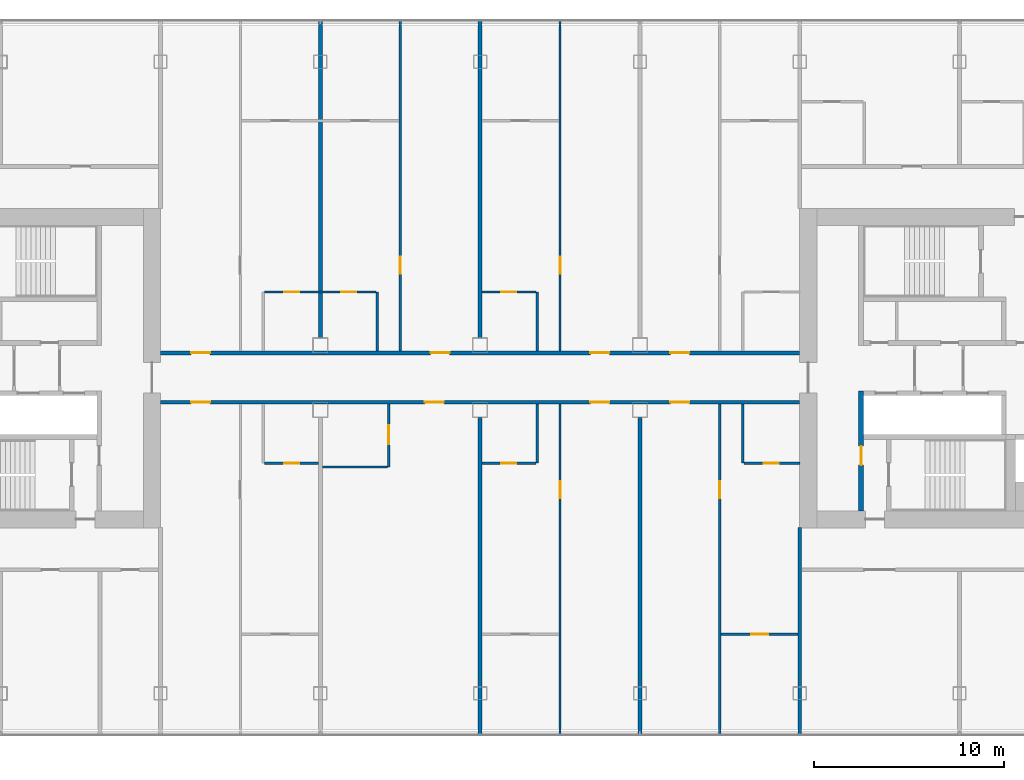
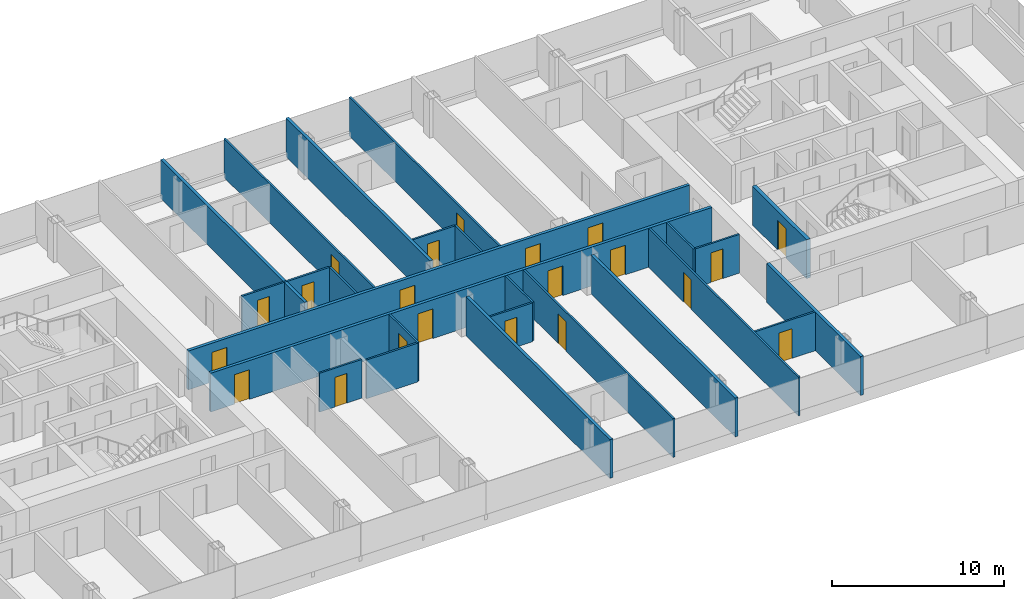
# One storey, part 14 of 26: 24 walls, 21 doors, 21 openings.
"""IFC4 building model written with IfcOpenShell, lengths in metres."""

from ifc_helpers import new_model, si_unit, direction, frame, frame_2d, origin, place, context, subcontext, project, spatial, rectangle, extrude, material, layer, layer_set, type_object, element, fill, save


model = new_model("IFC4")

# Units and contexts
model_context = context("Model", 3, precision=1e-05, world=origin(), true_north=direction((0.0, 1.0)))
body_context = subcontext(model_context, "Body", "Model", "MODEL_VIEW")
ifc_project = project(units=[si_unit("LENGTHUNIT", "METRE"), si_unit("AREAUNIT", "SQUARE_METRE"), si_unit("VOLUMEUNIT", "CUBIC_METRE"), si_unit("PLANEANGLEUNIT", "RADIAN"), si_unit("MASSUNIT", "GRAM", prefix="KILO")], contexts=[model_context])

# Site, building, storey
site_placement = place(None, origin())
site = spatial("IfcSite", under=ifc_project, at=site_placement, CompositionType="ELEMENT")
building_placement = place(site_placement, origin())
building = spatial("IfcBuilding", under=site, at=building_placement, Name="Hakoniwa Tower and Hamabe Station Hall", CompositionType="ELEMENT")
storey_placement = place(building_placement, frame((0.0, 0.0, 143.800048828125)))
storey = spatial("IfcBuildingStorey", under=building, at=storey_placement, Name="L40", CompositionType="ELEMENT", Elevation=143.800048828125)

# Wall
ifc_material_1 = material(Name="Gypsum board partition", Category="gypsum")
ifc_layer_1 = layer(ifc_material_1, 0.125)
ifc_layer_set_1 = layer_set([ifc_layer_1], Name="Bathroom Partition 125")
wall_type_1 = type_object("IfcWallType", Name="Bathroom Partition 125", PredefinedType="PARTITIONING", material=ifc_layer_set_1)
wall_1_placement = place(storey_placement, frame((-8.300048828125, -5.199951171875, 0.0), z_axis=(0.0, 0.0, 1.0), x_axis=(1.0, 0.0, 0.0)))
element("IfcWall", 1, at=wall_1_placement, inside=storey, type_object=wall_type_1, Name="GW-L40-008", PredefinedType="PARTITIONING", context=body_context, shape_type="SweptSolid", body=[
    extrude(rectangle(XDim=3.4375, YDim=0.125, at=frame_2d((1.71875, 0.0))), origin(), (0.0, 0.0, 1.0), 2.75),
])

# Wall, opening, door
wall_2_placement = place(storey_placement, frame((-11.33740234375, -5.0, 0.0), z_axis=(0.0, 0.0, 1.0), x_axis=(1.0, 0.0, 0.0)))
wall_2 = element("IfcWall", 2, at=wall_2_placement, inside=storey, type_object=wall_type_1, Name="GW-L40-009", PredefinedType="PARTITIONING", context=body_context, shape_type="SweptSolid", body=[
    extrude(rectangle(XDim=2.83740234375, YDim=0.125, at=frame_2d((1.418701171875, 0.0))), origin(), (0.0, 0.0, 1.0), 2.75),
])
opening_1_placement = place(wall_2_placement, frame((1.03759765625, 0.0, 0.0)))
opening_1 = element("IfcOpeningElement", 3, at=opening_1_placement, cuts=wall_2, Name="Opening GD-G3E0-17", PredefinedType="OPENING", context=body_context, shape_type="SweptSolid", body=[
    extrude(rectangle(XDim=0.800048828125, YDim=2.10009765625, at=frame_2d((0.39990234375, 1.050048828125))), frame((0.0, 0.072509765625, 0.0), z_axis=(0.0, -1.0, 0.0), x_axis=(1.0, 0.0, 0.0)), (0.0, 0.0, 1.0), 0.14501953125),
])
ifc_material_2 = material(Name="Timber door leaf", Category="wood")
door_type_1 = type_object("IfcDoorType", Name="Bathroom Door 800", OperationType="SINGLE_SWING_LEFT", PredefinedType="DOOR", material=ifc_material_2)
door_1_placement = place(opening_1_placement, origin())
door_1 = element("IfcDoor", 4, at=door_1_placement, inside=storey, type_object=door_type_1, Name="Door GD-G3E0-17", OperationType="SINGLE_SWING_LEFT", OverallHeight=2.10009765625, OverallWidth=0.800048828125, PredefinedType="DOOR", context=body_context, shape_type="SweptSolid", body=[
    extrude(rectangle(XDim=0.800048828125, YDim=2.10009765625, at=frame_2d((0.39990234375, 1.050048828125))), frame((0.0, 0.02490234375, 0.0), z_axis=(0.0, -1.0, 0.0), x_axis=(1.0, 0.0, 0.0)), (0.0, 0.0, 1.0), 0.050048828125),
])
fill(opening_1, door_1)

wall_3_placement = place(storey_placement, frame((0.10009765625, -5.0, 0.0), z_axis=(0.0, 0.0, 1.0), x_axis=(1.0, 0.0, 0.0)))
wall_3 = element("IfcWall", 5, at=wall_3_placement, inside=storey, type_object=wall_type_1, Name="GW-L40-010", PredefinedType="PARTITIONING", context=body_context, shape_type="SweptSolid", body=[
    extrude(rectangle(XDim=2.83740234375, YDim=0.125, at=frame_2d((1.418701171875, 0.0))), origin(), (0.0, 0.0, 1.0), 2.75),
])
opening_2_placement = place(wall_3_placement, frame((1.0, 0.0, 0.0)))
opening_2 = element("IfcOpeningElement", 6, at=opening_2_placement, cuts=wall_3, Name="Opening GD-G3E0-18", PredefinedType="OPENING", context=body_context, shape_type="SweptSolid", body=[
    extrude(rectangle(XDim=0.800048828125, YDim=2.10009765625, at=frame_2d((0.39990234375, 1.050048828125))), frame((0.0, 0.072509765625, 0.0), z_axis=(0.0, -1.0, 0.0), x_axis=(1.0, 0.0, 0.0)), (0.0, 0.0, 1.0), 0.14501953125),
])
door_2_placement = place(opening_2_placement, origin())
door_2 = element("IfcDoor", 7, at=door_2_placement, inside=storey, type_object=door_type_1, Name="Door GD-G3E0-18", OperationType="SINGLE_SWING_RIGHT", OverallHeight=2.10009765625, OverallWidth=0.800048828125, PredefinedType="DOOR", context=body_context, shape_type="SweptSolid", body=[
    extrude(rectangle(XDim=0.800048828125, YDim=2.10009765625, at=frame_2d((0.39990234375, 1.050048828125))), frame((0.0, 0.02490234375, 0.0), z_axis=(0.0, -1.0, 0.0), x_axis=(1.0, 0.0, 0.0)), (0.0, 0.0, 1.0), 0.050048828125),
])
fill(opening_2, door_2)

wall_4_placement = place(storey_placement, frame((13.862548828125, -5.0, 0.0), z_axis=(0.0, 0.0, 1.0), x_axis=(1.0, 0.0, 0.0)))
wall_4 = element("IfcWall", 8, at=wall_4_placement, inside=storey, type_object=wall_type_1, Name="GW-L40-011", PredefinedType="PARTITIONING", context=body_context, shape_type="SweptSolid", body=[
    extrude(rectangle(XDim=2.947509765625, YDim=0.125, at=frame_2d((1.4736328125, 0.0))), origin(), (0.0, 0.0, 1.0), 2.75),
])
opening_3_placement = place(wall_4_placement, frame((1.03759765625, 0.0, 0.0)))
opening_3 = element("IfcOpeningElement", 9, at=opening_3_placement, cuts=wall_4, Name="Opening GD-G3E0-19", PredefinedType="OPENING", context=body_context, shape_type="SweptSolid", body=[
    extrude(rectangle(XDim=0.800048828125, YDim=2.10009765625, at=frame_2d((0.39990234375, 1.050048828125))), frame((0.0, 0.072509765625, 0.0), z_axis=(0.0, -1.0, 0.0), x_axis=(1.0, 0.0, 0.0)), (0.0, 0.0, 1.0), 0.14501953125),
])
door_3_placement = place(opening_3_placement, origin())
door_3 = element("IfcDoor", 10, at=door_3_placement, inside=storey, type_object=door_type_1, Name="Door GD-G3E0-19", OperationType="SINGLE_SWING_RIGHT", OverallHeight=2.10009765625, OverallWidth=0.800048828125, PredefinedType="DOOR", context=body_context, shape_type="SweptSolid", body=[
    extrude(rectangle(XDim=0.800048828125, YDim=2.10009765625, at=frame_2d((0.39990234375, 1.050048828125))), frame((0.0, 0.02490234375, 0.0), z_axis=(0.0, -1.0, 0.0), x_axis=(1.0, 0.0, 0.0)), (0.0, 0.0, 1.0), 0.050048828125),
])
fill(opening_3, door_3)

# Wall, openings, doors
wall_5_placement = place(storey_placement, frame((-11.33740234375, 4.0, 0.0), z_axis=(0.0, 0.0, 1.0), x_axis=(1.0, 0.0, 0.0)))
wall_5 = element("IfcWall", 11, at=wall_5_placement, inside=storey, type_object=wall_type_1, Name="GW-L40-016", PredefinedType="PARTITIONING", context=body_context, shape_type="SweptSolid", body=[
    extrude(rectangle(XDim=5.875, YDim=0.125, at=frame_2d((2.9375, 0.0))), origin(), (0.0, 0.0, 1.0), 2.75),
])
opening_4_placement = place(wall_5_placement, frame((1.03759765625, 0.0, 0.0)))
opening_4 = element("IfcOpeningElement", 12, at=opening_4_placement, cuts=wall_5, Name="Opening GD-G3E0-28", PredefinedType="OPENING", context=body_context, shape_type="SweptSolid", body=[
    extrude(rectangle(XDim=0.800048828125, YDim=2.10009765625, at=frame_2d((0.39990234375, 1.050048828125))), frame((0.0, 0.072509765625, 0.0), z_axis=(0.0, -1.0, 0.0), x_axis=(1.0, 0.0, 0.0)), (0.0, 0.0, 1.0), 0.14501953125),
])
opening_5_placement = place(wall_5_placement, frame((4.03759765625, 0.0, 0.0)))
opening_5 = element("IfcOpeningElement", 13, at=opening_5_placement, cuts=wall_5, Name="Opening GD-G3E0-29", PredefinedType="OPENING", context=body_context, shape_type="SweptSolid", body=[
    extrude(rectangle(XDim=0.800048828125, YDim=2.10009765625, at=frame_2d((0.39990234375, 1.050048828125))), frame((0.0, 0.072509765625, 0.0), z_axis=(0.0, -1.0, 0.0), x_axis=(1.0, 0.0, 0.0)), (0.0, 0.0, 1.0), 0.14501953125),
])
door_4_placement = place(opening_4_placement, origin())
door_4 = element("IfcDoor", 14, at=door_4_placement, inside=storey, type_object=door_type_1, Name="Door GD-G3E0-28", OperationType="SINGLE_SWING_RIGHT", OverallHeight=2.10009765625, OverallWidth=0.800048828125, PredefinedType="DOOR", context=body_context, shape_type="SweptSolid", body=[
    extrude(rectangle(XDim=0.800048828125, YDim=2.10009765625, at=frame_2d((0.39990234375, 1.050048828125))), frame((0.0, 0.02490234375, 0.0), z_axis=(0.0, -1.0, 0.0), x_axis=(1.0, 0.0, 0.0)), (0.0, 0.0, 1.0), 0.050048828125),
])
fill(opening_4, door_4)
door_5_placement = place(opening_5_placement, origin())
door_5 = element("IfcDoor", 15, at=door_5_placement, inside=storey, type_object=door_type_1, Name="Door GD-G3E0-29", OperationType="SINGLE_SWING_LEFT", OverallHeight=2.10009765625, OverallWidth=0.800048828125, PredefinedType="DOOR", context=body_context, shape_type="SweptSolid", body=[
    extrude(rectangle(XDim=0.800048828125, YDim=2.10009765625, at=frame_2d((0.39990234375, 1.050048828125))), frame((0.0, 0.02490234375, 0.0), z_axis=(0.0, -1.0, 0.0), x_axis=(1.0, 0.0, 0.0)), (0.0, 0.0, 1.0), 0.050048828125),
])
fill(opening_5, door_5)

# Wall, opening, door
wall_6_placement = place(storey_placement, frame((0.10009765625, 4.0, 0.0), z_axis=(0.0, 0.0, 1.0), x_axis=(1.0, 0.0, 0.0)))
wall_6 = element("IfcWall", 16, at=wall_6_placement, inside=storey, type_object=wall_type_1, Name="GW-L40-017", PredefinedType="PARTITIONING", context=body_context, shape_type="SweptSolid", body=[
    extrude(rectangle(XDim=2.83740234375, YDim=0.125, at=frame_2d((1.418701171875, 0.0))), origin(), (0.0, 0.0, 1.0), 2.75),
])
opening_6_placement = place(wall_6_placement, frame((1.0, 0.0, 0.0)))
opening_6 = element("IfcOpeningElement", 17, at=opening_6_placement, cuts=wall_6, Name="Opening GD-G3E0-30", PredefinedType="OPENING", context=body_context, shape_type="SweptSolid", body=[
    extrude(rectangle(XDim=0.800048828125, YDim=2.10009765625, at=frame_2d((0.39990234375, 1.050048828125))), frame((0.0, 0.072509765625, 0.0), z_axis=(0.0, -1.0, 0.0), x_axis=(1.0, 0.0, 0.0)), (0.0, 0.0, 1.0), 0.14501953125),
])
door_6_placement = place(opening_6_placement, origin())
door_6 = element("IfcDoor", 18, at=door_6_placement, inside=storey, type_object=door_type_1, Name="Door GD-G3E0-30", OperationType="SINGLE_SWING_LEFT", OverallHeight=2.10009765625, OverallWidth=0.800048828125, PredefinedType="DOOR", context=body_context, shape_type="SweptSolid", body=[
    extrude(rectangle(XDim=0.800048828125, YDim=2.10009765625, at=frame_2d((0.39990234375, 1.050048828125))), frame((0.0, 0.02490234375, 0.0), z_axis=(0.0, -1.0, 0.0), x_axis=(1.0, 0.0, 0.0)), (0.0, 0.0, 1.0), 0.050048828125),
])
fill(opening_6, door_6)

# Wall
wall_7_placement = place(storey_placement, frame((-5.39990234375, 0.89990234375, 0.0), z_axis=(0.0, 0.0, 1.0), x_axis=(0.0, 1.0, 0.0)))
element("IfcWall", 19, at=wall_7_placement, inside=storey, type_object=wall_type_1, Name="GW-L40-048", PredefinedType="PARTITIONING", context=body_context, shape_type="SweptSolid", body=[
    extrude(rectangle(XDim=3.10009765625, YDim=0.125, at=frame_2d((1.550048828125, 0.0))), origin(), (0.0, 0.0, 1.0), 2.75),
])

# Wall, opening, door
wall_8_placement = place(storey_placement, frame((-4.800048828125, -5.199951171875, 0.0), z_axis=(0.0, 0.0, 1.0), x_axis=(0.0, 1.0, 0.0)))
wall_8 = element("IfcWall", 20, at=wall_8_placement, inside=storey, type_object=wall_type_1, Name="GW-L40-049", PredefinedType="PARTITIONING", context=body_context, shape_type="SweptSolid", body=[
    extrude(rectangle(XDim=3.300048828125, YDim=0.125, at=frame_2d((1.64990234375, 0.0))), origin(), (0.0, 0.0, 1.0), 2.75),
])
opening_7_placement = place(wall_8_placement, frame((1.199951171875, 0.0, 0.0)))
opening_7 = element("IfcOpeningElement", 21, at=opening_7_placement, cuts=wall_8, Name="Opening GD-G3E0-52", PredefinedType="OPENING", context=body_context, shape_type="SweptSolid", body=[
    extrude(rectangle(XDim=1.0, YDim=2.10009765625, at=frame_2d((0.5, 1.050048828125))), frame((0.0, 0.072509765625, 0.0), z_axis=(0.0, -1.0, 0.0), x_axis=(1.0, 0.0, 0.0)), (0.0, 0.0, 1.0), 0.14501953125),
])
ifc_material_3 = material(Name="Timber door leaf", Category="wood")
door_type_2 = type_object("IfcDoorType", Name="Accessible Bathroom Door 1000", OperationType="SINGLE_SWING_LEFT", PredefinedType="DOOR", material=ifc_material_3)
door_7_placement = place(opening_7_placement, origin())
door_7 = element("IfcDoor", 22, at=door_7_placement, inside=storey, type_object=door_type_2, Name="Door GD-G3E0-52", OperationType="SINGLE_SWING_RIGHT", OverallHeight=2.10009765625, OverallWidth=1.0, PredefinedType="DOOR", context=body_context, shape_type="SweptSolid", body=[
    extrude(rectangle(XDim=1.0, YDim=2.10009765625, at=frame_2d((0.5, 1.050048828125))), frame((0.0, 0.02490234375, 0.0), z_axis=(0.0, -1.0, 0.0), x_axis=(1.0, 0.0, 0.0)), (0.0, 0.0, 1.0), 0.050048828125),
])
fill(opening_7, door_7)

# Walls
for number, where, z_axis, x_axis, name in (
    (23, (3.0, -5.0, 0.0), (0.0, 0.0, 1.0), (0.0, 1.0, 0.0), "GW-L40-053"),
    (24, (3.0, 0.89990234375, 0.0), (0.0, 0.0, 1.0), (0.0, 1.0, 0.0), "GW-L40-054"),
    (25, (13.800048828125, -5.0, 0.0), (0.0, 0.0, 1.0), (0.0, 1.0, 0.0), "GW-L40-061"),
):
    element("IfcWall", number, at=place(storey_placement, frame(where, z_axis=z_axis, x_axis=x_axis)), inside=storey, type_object=wall_type_1, Name=name, PredefinedType="PARTITIONING", context=body_context, shape_type="SweptSolid", body=[
        extrude(rectangle(XDim=3.10009765625, YDim=0.125, at=frame_2d((1.550048828125, 0.0))), origin(), (0.0, 0.0, 1.0), 2.75),
    ])

# Wall, opening, door
ifc_material_4 = material(Name="Concrete C66", Category="concrete")
ifc_layer_2 = layer(ifc_material_4, 0.25)
ifc_layer_set_2 = layer_set([ifc_layer_2], Name="CORE WEB WALL 250 C66")
wall_type_2 = type_object("IfcWallType", Name="CORE WEB WALL 250 C66", PredefinedType="SHEAR", material=ifc_layer_set_2)
wall_9_placement = place(storey_placement, frame((20.02490234375, -7.5, 0.0), z_axis=(0.0, 0.0, 1.0), x_axis=(0.0, 1.0, 0.0)))
wall_9 = element("IfcWall", 26, at=wall_9_placement, inside=storey, type_object=wall_type_2, Name="Core wall W1S east", PredefinedType="SHEAR", context=body_context, shape_type="SweptSolid", body=[
    extrude(rectangle(XDim=6.300048828125, YDim=0.25, at=frame_2d((3.14990234375, 0.0))), origin(), (0.0, 0.0, 1.0), 2.75),
])
opening_8_placement = place(wall_9_placement, frame((2.39990234375, 0.0, 0.0)))
opening_8 = element("IfcOpeningElement", 27, at=opening_8_placement, cuts=wall_9, Name="Opening CD-E-VS-10", PredefinedType="OPENING", context=body_context, shape_type="SweptSolid", body=[
    extrude(rectangle(XDim=1.0, YDim=2.10009765625, at=frame_2d((0.5, 1.050048828125))), frame((0.0, 0.135009765625, 0.0), z_axis=(0.0, -1.0, 0.0), x_axis=(1.0, 0.0, 0.0)), (0.0, 0.0, 1.0), 0.27001953125),
])
ifc_material_5 = material(Name="Steel fire door", Category="steel")
door_type_3 = type_object("IfcDoorType", Name="CORE DOOR 1000 FD60", OperationType="NOTDEFINED", PredefinedType="DOOR", material=ifc_material_5)
door_8_placement = place(opening_8_placement, origin())
door_8 = element("IfcDoor", 28, at=door_8_placement, inside=storey, type_object=door_type_3, Name="Stair vestibule door", OperationType="SINGLE_SWING_RIGHT", OverallHeight=2.10009765625, OverallWidth=1.0, PredefinedType="DOOR", context=body_context, shape_type="SweptSolid", body=[
    extrude(rectangle(XDim=1.0, YDim=2.10009765625, at=frame_2d((0.5, 1.050048828125))), frame((0.0, 0.02490234375, 0.0), z_axis=(0.0, -1.0, 0.0), x_axis=(1.0, 0.0, 0.0)), (0.0, 0.0, 1.0), 0.050048828125),
])
fill(opening_8, door_8)

# Wall, openings, doors
ifc_material_6 = material(Name="Fire-rated gypsum board partition", Category="gypsum")
ifc_layer_3 = layer(ifc_material_6, 0.199951171875)
ifc_layer_set_3 = layer_set([ifc_layer_3], Name="Corridor Wall 200")
wall_type_3 = type_object("IfcWallType", Name="Corridor Wall 200", PredefinedType="PARTITIONING", material=ifc_layer_set_3)
wall_10_placement = place(storey_placement, frame((-16.800048828125, -1.800048828125, 0.0), z_axis=(0.0, 0.0, 1.0), x_axis=(1.0, 0.0, 0.0)))
wall_10 = element("IfcWall", 29, at=wall_10_placement, inside=storey, type_object=wall_type_3, Name="GW-L40-012", PredefinedType="PARTITIONING", context=body_context, shape_type="SweptSolid", body=[
    extrude(rectangle(XDim=33.60009765625, YDim=0.199951171875, at=frame_2d((16.800048828125, 0.0))), origin(), (0.0, 0.0, 1.0), 2.75),
])
opening_9_placement = place(wall_10_placement, frame((1.60009765625, 0.0, 0.0)))
opening_9 = element("IfcOpeningElement", 30, at=opening_9_placement, cuts=wall_10, Name="Opening GD-G3E0-20", PredefinedType="OPENING", context=body_context, shape_type="SweptSolid", body=[
    extrude(rectangle(XDim=1.0, YDim=2.10009765625, at=frame_2d((0.5, 1.050048828125))), frame((0.0, 0.10986328125, 0.0), z_axis=(0.0, -1.0, 0.0), x_axis=(1.0, 0.0, 0.0)), (0.0, 0.0, 1.0), 0.219970703125),
])
opening_10_placement = place(wall_10_placement, frame((13.89990234375, 0.0, 0.0)))
opening_10 = element("IfcOpeningElement", 31, at=opening_10_placement, cuts=wall_10, Name="Opening GD-G3E0-21", PredefinedType="OPENING", context=body_context, shape_type="SweptSolid", body=[
    extrude(rectangle(XDim=1.0, YDim=2.10009765625, at=frame_2d((0.5, 1.050048828125))), frame((0.0, 0.10986328125, 0.0), z_axis=(0.0, -1.0, 0.0), x_axis=(1.0, 0.0, 0.0)), (0.0, 0.0, 1.0), 0.219970703125),
])
opening_11_placement = place(wall_10_placement, frame((22.60009765625, 0.0, 0.0)))
opening_11 = element("IfcOpeningElement", 32, at=opening_11_placement, cuts=wall_10, Name="Opening GD-G3E0-22", PredefinedType="OPENING", context=body_context, shape_type="SweptSolid", body=[
    extrude(rectangle(XDim=1.0, YDim=2.10009765625, at=frame_2d((0.5, 1.050048828125))), frame((0.0, 0.10986328125, 0.0), z_axis=(0.0, -1.0, 0.0), x_axis=(1.0, 0.0, 0.0)), (0.0, 0.0, 1.0), 0.219970703125),
])
opening_12_placement = place(wall_10_placement, frame((26.800048828125, 0.0, 0.0)))
opening_12 = element("IfcOpeningElement", 33, at=opening_12_placement, cuts=wall_10, Name="Opening GD-G3E0-23", PredefinedType="OPENING", context=body_context, shape_type="SweptSolid", body=[
    extrude(rectangle(XDim=1.0, YDim=2.10009765625, at=frame_2d((0.5, 1.050048828125))), frame((0.0, 0.10986328125, 0.0), z_axis=(0.0, -1.0, 0.0), x_axis=(1.0, 0.0, 0.0)), (0.0, 0.0, 1.0), 0.219970703125),
])
ifc_material_7 = material(Name="Timber door leaf", Category="wood")
door_type_4 = type_object("IfcDoorType", Name="Accessible Guest Entrance Door 1000", OperationType="SINGLE_SWING_LEFT", PredefinedType="DOOR", material=ifc_material_7)
door_9_placement = place(opening_10_placement, origin())
door_9 = element("IfcDoor", 34, at=door_9_placement, inside=storey, type_object=door_type_4, Name="Door GD-G3E0-21", OperationType="SINGLE_SWING_LEFT", OverallHeight=2.10009765625, OverallWidth=1.0, PredefinedType="DOOR", context=body_context, shape_type="SweptSolid", body=[
    extrude(rectangle(XDim=1.0, YDim=2.10009765625, at=frame_2d((0.5, 1.050048828125))), frame((0.0, 0.02490234375, 0.0), z_axis=(0.0, -1.0, 0.0), x_axis=(1.0, 0.0, 0.0)), (0.0, 0.0, 1.0), 0.050048828125),
])
fill(opening_10, door_9)
ifc_material_8 = material(Name="Timber door leaf", Category="wood")
door_type_5 = type_object("IfcDoorType", Name="Guest Entrance Door 1000", OperationType="SINGLE_SWING_LEFT", PredefinedType="DOOR", material=ifc_material_8)
door_10_placement = place(opening_9_placement, origin())
door_10 = element("IfcDoor", 35, at=door_10_placement, inside=storey, type_object=door_type_5, Name="Door GD-G3E0-20", OperationType="SINGLE_SWING_RIGHT", OverallHeight=2.10009765625, OverallWidth=1.0, PredefinedType="DOOR", context=body_context, shape_type="SweptSolid", body=[
    extrude(rectangle(XDim=1.0, YDim=2.10009765625, at=frame_2d((0.5, 1.050048828125))), frame((0.0, 0.02490234375, 0.0), z_axis=(0.0, -1.0, 0.0), x_axis=(1.0, 0.0, 0.0)), (0.0, 0.0, 1.0), 0.050048828125),
])
fill(opening_9, door_10)
door_11_placement = place(opening_11_placement, origin())
door_11 = element("IfcDoor", 36, at=door_11_placement, inside=storey, type_object=door_type_5, Name="Door GD-G3E0-22", OperationType="SINGLE_SWING_LEFT", OverallHeight=2.10009765625, OverallWidth=1.0, PredefinedType="DOOR", context=body_context, shape_type="SweptSolid", body=[
    extrude(rectangle(XDim=1.0, YDim=2.10009765625, at=frame_2d((0.5, 1.050048828125))), frame((0.0, 0.02490234375, 0.0), z_axis=(0.0, -1.0, 0.0), x_axis=(1.0, 0.0, 0.0)), (0.0, 0.0, 1.0), 0.050048828125),
])
fill(opening_11, door_11)
door_12_placement = place(opening_12_placement, origin())
door_12 = element("IfcDoor", 37, at=door_12_placement, inside=storey, type_object=door_type_5, Name="Door GD-G3E0-23", OperationType="SINGLE_SWING_RIGHT", OverallHeight=2.10009765625, OverallWidth=1.0, PredefinedType="DOOR", context=body_context, shape_type="SweptSolid", body=[
    extrude(rectangle(XDim=1.0, YDim=2.10009765625, at=frame_2d((0.5, 1.050048828125))), frame((0.0, 0.02490234375, 0.0), z_axis=(0.0, -1.0, 0.0), x_axis=(1.0, 0.0, 0.0)), (0.0, 0.0, 1.0), 0.050048828125),
])
fill(opening_12, door_12)

wall_11_placement = place(storey_placement, frame((-16.800048828125, 0.800048828125, 0.0), z_axis=(0.0, 0.0, 1.0), x_axis=(1.0, 0.0, 0.0)))
wall_11 = element("IfcWall", 38, at=wall_11_placement, inside=storey, type_object=wall_type_3, Name="GW-L40-015", PredefinedType="PARTITIONING", context=body_context, shape_type="SweptSolid", body=[
    extrude(rectangle(XDim=33.60009765625, YDim=0.199951171875, at=frame_2d((16.800048828125, 0.0))), origin(), (0.0, 0.0, 1.0), 2.75),
])
opening_13_placement = place(wall_11_placement, frame((1.60009765625, 0.0, 0.0)))
opening_13 = element("IfcOpeningElement", 39, at=opening_13_placement, cuts=wall_11, Name="Opening GD-G3E0-24", PredefinedType="OPENING", context=body_context, shape_type="SweptSolid", body=[
    extrude(rectangle(XDim=1.0, YDim=2.10009765625, at=frame_2d((0.5, 1.050048828125))), frame((0.0, 0.10986328125, 0.0), z_axis=(0.0, -1.0, 0.0), x_axis=(1.0, 0.0, 0.0)), (0.0, 0.0, 1.0), 0.219970703125),
])
opening_14_placement = place(wall_11_placement, frame((14.199951171875, 0.0, 0.0)))
opening_14 = element("IfcOpeningElement", 40, at=opening_14_placement, cuts=wall_11, Name="Opening GD-G3E0-25", PredefinedType="OPENING", context=body_context, shape_type="SweptSolid", body=[
    extrude(rectangle(XDim=1.0, YDim=2.10009765625, at=frame_2d((0.5, 1.050048828125))), frame((0.0, 0.10986328125, 0.0), z_axis=(0.0, -1.0, 0.0), x_axis=(1.0, 0.0, 0.0)), (0.0, 0.0, 1.0), 0.219970703125),
])
opening_15_placement = place(wall_11_placement, frame((22.60009765625, 0.0, 0.0)))
opening_15 = element("IfcOpeningElement", 41, at=opening_15_placement, cuts=wall_11, Name="Opening GD-G3E0-26", PredefinedType="OPENING", context=body_context, shape_type="SweptSolid", body=[
    extrude(rectangle(XDim=1.0, YDim=2.10009765625, at=frame_2d((0.5, 1.050048828125))), frame((0.0, 0.10986328125, 0.0), z_axis=(0.0, -1.0, 0.0), x_axis=(1.0, 0.0, 0.0)), (0.0, 0.0, 1.0), 0.219970703125),
])
opening_16_placement = place(wall_11_placement, frame((26.800048828125, 0.0, 0.0)))
opening_16 = element("IfcOpeningElement", 42, at=opening_16_placement, cuts=wall_11, Name="Opening GD-G3E0-27", PredefinedType="OPENING", context=body_context, shape_type="SweptSolid", body=[
    extrude(rectangle(XDim=1.0, YDim=2.10009765625, at=frame_2d((0.5, 1.050048828125))), frame((0.0, 0.10986328125, 0.0), z_axis=(0.0, -1.0, 0.0), x_axis=(1.0, 0.0, 0.0)), (0.0, 0.0, 1.0), 0.219970703125),
])
door_13_placement = place(opening_13_placement, origin())
door_13 = element("IfcDoor", 43, at=door_13_placement, inside=storey, type_object=door_type_5, Name="Door GD-G3E0-24", OperationType="SINGLE_SWING_LEFT", OverallHeight=2.10009765625, OverallWidth=1.0, PredefinedType="DOOR", context=body_context, shape_type="SweptSolid", body=[
    extrude(rectangle(XDim=1.0, YDim=2.10009765625, at=frame_2d((0.5, 1.050048828125))), frame((0.0, 0.02490234375, 0.0), z_axis=(0.0, -1.0, 0.0), x_axis=(1.0, 0.0, 0.0)), (0.0, 0.0, 1.0), 0.050048828125),
])
fill(opening_13, door_13)
door_14_placement = place(opening_14_placement, origin())
door_14 = element("IfcDoor", 44, at=door_14_placement, inside=storey, type_object=door_type_5, Name="Door GD-G3E0-25", OperationType="SINGLE_SWING_LEFT", OverallHeight=2.10009765625, OverallWidth=1.0, PredefinedType="DOOR", context=body_context, shape_type="SweptSolid", body=[
    extrude(rectangle(XDim=1.0, YDim=2.10009765625, at=frame_2d((0.5, 1.050048828125))), frame((0.0, 0.02490234375, 0.0), z_axis=(0.0, -1.0, 0.0), x_axis=(1.0, 0.0, 0.0)), (0.0, 0.0, 1.0), 0.050048828125),
])
fill(opening_14, door_14)
door_15_placement = place(opening_15_placement, origin())
door_15 = element("IfcDoor", 45, at=door_15_placement, inside=storey, type_object=door_type_5, Name="Door GD-G3E0-26", OperationType="SINGLE_SWING_RIGHT", OverallHeight=2.10009765625, OverallWidth=1.0, PredefinedType="DOOR", context=body_context, shape_type="SweptSolid", body=[
    extrude(rectangle(XDim=1.0, YDim=2.10009765625, at=frame_2d((0.5, 1.050048828125))), frame((0.0, 0.02490234375, 0.0), z_axis=(0.0, -1.0, 0.0), x_axis=(1.0, 0.0, 0.0)), (0.0, 0.0, 1.0), 0.050048828125),
])
fill(opening_15, door_15)
door_16_placement = place(opening_16_placement, origin())
door_16 = element("IfcDoor", 46, at=door_16_placement, inside=storey, type_object=door_type_5, Name="Door GD-G3E0-27", OperationType="SINGLE_SWING_LEFT", OverallHeight=2.10009765625, OverallWidth=1.0, PredefinedType="DOOR", context=body_context, shape_type="SweptSolid", body=[
    extrude(rectangle(XDim=1.0, YDim=2.10009765625, at=frame_2d((0.5, 1.050048828125))), frame((0.0, 0.02490234375, 0.0), z_axis=(0.0, -1.0, 0.0), x_axis=(1.0, 0.0, 0.0)), (0.0, 0.0, 1.0), 0.050048828125),
])
fill(opening_16, door_16)

# Walls
ifc_material_9 = material(Name="Fire-rated gypsum board partition", Category="gypsum")
ifc_layer_4 = layer(ifc_material_9, 0.199951171875)
ifc_layer_set_4 = layer_set([ifc_layer_4], Name="Party Wall 200")
wall_type_4 = type_object("IfcWallType", Name="Party Wall 200", PredefinedType="PARTITIONING", material=ifc_layer_set_4)
for number, where, z_axis, x_axis, name in (
    (47, (-8.39990234375, 1.590087890625, 0.0), (0.0, 0.0, 1.0), (0.0, 1.0, 0.0), "GW-L40-047"),
    (48, (0.0, -19.300048828125, 0.0), (0.0, 0.0, 1.0), (0.0, 1.0, 0.0), "GW-L40-051"),
    (49, (0.0, 1.590087890625, 0.0), (0.0, 0.0, 1.0), (0.0, 1.0, 0.0), "GW-L40-052"),
    (50, (8.39990234375, -19.300048828125, 0.0), (0.0, 0.0, 1.0), (0.0, 1.0, 0.0), "GW-L40-057"),
):
    element("IfcWall", number, at=place(storey_placement, frame(where, z_axis=z_axis, x_axis=x_axis)), inside=storey, type_object=wall_type_4, Name=name, PredefinedType="PARTITIONING", context=body_context, shape_type="SweptSolid", body=[
        extrude(rectangle(XDim=16.7099609375, YDim=0.199951171875, at=frame_2d((8.35498046875, 0.0))), origin(), (0.0, 0.0, 1.0), 2.75),
    ])
wall_12_placement = place(storey_placement, frame((16.800048828125, -19.300048828125, 0.0), z_axis=(0.0, 0.0, 1.0), x_axis=(0.0, 1.0, 0.0)))
element("IfcWall", 51, at=wall_12_placement, inside=storey, type_object=wall_type_4, Name="GW-L40-063", PredefinedType="PARTITIONING", context=body_context, shape_type="SweptSolid", body=[
    extrude(rectangle(XDim=10.91015625, YDim=0.199951171875, at=frame_2d((5.455078125, 0.0))), origin(), (0.0, 0.0, 1.0), 2.75),
])

# Wall, opening, door
ifc_material_10 = material(Name="Gypsum board partition", Category="gypsum")
ifc_layer_5 = layer(ifc_material_10, 0.125)
ifc_layer_set_5 = layer_set([ifc_layer_5], Name="Room Partition 125")
wall_type_5 = type_object("IfcWallType", Name="Room Partition 125", PredefinedType="PARTITIONING", material=ifc_layer_set_5)
wall_13_placement = place(storey_placement, frame((12.66259765625, -14.0, 0.0), z_axis=(0.0, 0.0, 1.0), x_axis=(1.0, 0.0, 0.0)))
wall_13 = element("IfcWall", 52, at=wall_13_placement, inside=storey, type_object=wall_type_5, Name="GW-L40-003", PredefinedType="PARTITIONING", context=body_context, shape_type="SweptSolid", body=[
    extrude(rectangle(XDim=4.037353515625, YDim=0.125, at=frame_2d((2.0185546875, 0.0))), origin(), (0.0, 0.0, 1.0), 2.75),
])
opening_17_placement = place(wall_13_placement, frame((1.58740234375, 0.0, 0.0)))
opening_17 = element("IfcOpeningElement", 53, at=opening_17_placement, cuts=wall_13, Name="Opening GD-G3E0-03", PredefinedType="OPENING", context=body_context, shape_type="SweptSolid", body=[
    extrude(rectangle(XDim=0.89990234375, YDim=2.10009765625, at=frame_2d((0.449951171875, 1.050048828125))), frame((0.0, 0.072509765625, 0.0), z_axis=(0.0, -1.0, 0.0), x_axis=(1.0, 0.0, 0.0)), (0.0, 0.0, 1.0), 0.14501953125),
])
ifc_material_11 = material(Name="Timber door leaf", Category="wood")
door_type_6 = type_object("IfcDoorType", Name="Suite Interior Door 900", OperationType="SINGLE_SWING_LEFT", PredefinedType="DOOR", material=ifc_material_11)
door_17_placement = place(opening_17_placement, origin())
door_17 = element("IfcDoor", 54, at=door_17_placement, inside=storey, type_object=door_type_6, Name="Door GD-G3E0-03", OperationType="SINGLE_SWING_LEFT", OverallHeight=2.10009765625, OverallWidth=0.89990234375, PredefinedType="DOOR", context=body_context, shape_type="SweptSolid", body=[
    extrude(rectangle(XDim=0.89990234375, YDim=2.10009765625, at=frame_2d((0.449951171875, 1.050048828125))), frame((0.0, 0.02490234375, 0.0), z_axis=(0.0, -1.0, 0.0), x_axis=(1.0, 0.0, 0.0)), (0.0, 0.0, 1.0), 0.050048828125),
])
fill(opening_17, door_17)

wall_14_placement = place(storey_placement, frame((-4.199951171875, 0.89990234375, 0.0), z_axis=(0.0, 0.0, 1.0), x_axis=(0.0, 1.0, 0.0)))
wall_14 = element("IfcWall", 55, at=wall_14_placement, inside=storey, type_object=wall_type_5, Name="GW-L40-050", PredefinedType="PARTITIONING", context=body_context, shape_type="SweptSolid", body=[
    extrude(rectangle(XDim=17.400146484375, YDim=0.125, at=frame_2d((8.7001953125, 0.0))), origin(), (0.0, 0.0, 1.0), 2.75),
])
opening_18_placement = place(wall_14_placement, frame((4.050048828125, 0.0, 0.0)))
opening_18 = element("IfcOpeningElement", 56, at=opening_18_placement, cuts=wall_14, Name="Opening GD-G3E0-53", PredefinedType="OPENING", context=body_context, shape_type="SweptSolid", body=[
    extrude(rectangle(XDim=0.89990234375, YDim=2.10009765625, at=frame_2d((0.449951171875, 1.050048828125))), frame((0.0, 0.072509765625, 0.0), z_axis=(0.0, -1.0, 0.0), x_axis=(1.0, 0.0, 0.0)), (0.0, 0.0, 1.0), 0.14501953125),
])
door_18_placement = place(opening_18_placement, origin())
door_18 = element("IfcDoor", 57, at=door_18_placement, inside=storey, type_object=door_type_6, Name="Door GD-G3E0-53", OperationType="SINGLE_SWING_LEFT", OverallHeight=2.10009765625, OverallWidth=0.89990234375, PredefinedType="DOOR", context=body_context, shape_type="SweptSolid", body=[
    extrude(rectangle(XDim=0.89990234375, YDim=2.10009765625, at=frame_2d((0.449951171875, 1.050048828125))), frame((0.0, 0.02490234375, 0.0), z_axis=(0.0, -1.0, 0.0), x_axis=(1.0, 0.0, 0.0)), (0.0, 0.0, 1.0), 0.050048828125),
])
fill(opening_18, door_18)

wall_15_placement = place(storey_placement, frame((4.199951171875, -19.300048828125, 0.0), z_axis=(0.0, 0.0, 1.0), x_axis=(0.0, 1.0, 0.0)))
wall_15 = element("IfcWall", 58, at=wall_15_placement, inside=storey, type_object=wall_type_5, Name="GW-L40-055", PredefinedType="PARTITIONING", context=body_context, shape_type="SweptSolid", body=[
    extrude(rectangle(XDim=17.400146484375, YDim=0.125, at=frame_2d((8.7001953125, 0.0))), origin(), (0.0, 0.0, 1.0), 2.75),
])
opening_19_placement = place(wall_15_placement, frame((12.449951171875, 0.0, 0.0)))
opening_19 = element("IfcOpeningElement", 59, at=opening_19_placement, cuts=wall_15, Name="Opening GD-G3E0-54", PredefinedType="OPENING", context=body_context, shape_type="SweptSolid", body=[
    extrude(rectangle(XDim=0.89990234375, YDim=2.10009765625, at=frame_2d((0.449951171875, 1.050048828125))), frame((0.0, 0.072509765625, 0.0), z_axis=(0.0, -1.0, 0.0), x_axis=(1.0, 0.0, 0.0)), (0.0, 0.0, 1.0), 0.14501953125),
])
door_19_placement = place(opening_19_placement, origin())
door_19 = element("IfcDoor", 60, at=door_19_placement, inside=storey, type_object=door_type_6, Name="Door GD-G3E0-54", OperationType="SINGLE_SWING_RIGHT", OverallHeight=2.10009765625, OverallWidth=0.89990234375, PredefinedType="DOOR", context=body_context, shape_type="SweptSolid", body=[
    extrude(rectangle(XDim=0.89990234375, YDim=2.10009765625, at=frame_2d((0.449951171875, 1.050048828125))), frame((0.0, 0.02490234375, 0.0), z_axis=(0.0, -1.0, 0.0), x_axis=(1.0, 0.0, 0.0)), (0.0, 0.0, 1.0), 0.050048828125),
])
fill(opening_19, door_19)

wall_16_placement = place(storey_placement, frame((4.199951171875, 0.89990234375, 0.0), z_axis=(0.0, 0.0, 1.0), x_axis=(0.0, 1.0, 0.0)))
wall_16 = element("IfcWall", 61, at=wall_16_placement, inside=storey, type_object=wall_type_5, Name="GW-L40-056", PredefinedType="PARTITIONING", context=body_context, shape_type="SweptSolid", body=[
    extrude(rectangle(XDim=17.400146484375, YDim=0.125, at=frame_2d((8.7001953125, 0.0))), origin(), (0.0, 0.0, 1.0), 2.75),
])
opening_20_placement = place(wall_16_placement, frame((4.050048828125, 0.0, 0.0)))
opening_20 = element("IfcOpeningElement", 62, at=opening_20_placement, cuts=wall_16, Name="Opening GD-G3E0-55", PredefinedType="OPENING", context=body_context, shape_type="SweptSolid", body=[
    extrude(rectangle(XDim=0.89990234375, YDim=2.10009765625, at=frame_2d((0.449951171875, 1.050048828125))), frame((0.0, 0.072509765625, 0.0), z_axis=(0.0, -1.0, 0.0), x_axis=(1.0, 0.0, 0.0)), (0.0, 0.0, 1.0), 0.14501953125),
])
door_20_placement = place(opening_20_placement, origin())
door_20 = element("IfcDoor", 63, at=door_20_placement, inside=storey, type_object=door_type_6, Name="Door GD-G3E0-55", OperationType="SINGLE_SWING_LEFT", OverallHeight=2.10009765625, OverallWidth=0.89990234375, PredefinedType="DOOR", context=body_context, shape_type="SweptSolid", body=[
    extrude(rectangle(XDim=0.89990234375, YDim=2.10009765625, at=frame_2d((0.449951171875, 1.050048828125))), frame((0.0, 0.02490234375, 0.0), z_axis=(0.0, -1.0, 0.0), x_axis=(1.0, 0.0, 0.0)), (0.0, 0.0, 1.0), 0.050048828125),
])
fill(opening_20, door_20)

wall_17_placement = place(storey_placement, frame((12.60009765625, -19.300048828125, 0.0), z_axis=(0.0, 0.0, 1.0), x_axis=(0.0, 1.0, 0.0)))
wall_17 = element("IfcWall", 64, at=wall_17_placement, inside=storey, type_object=wall_type_5, Name="GW-L40-059", PredefinedType="PARTITIONING", context=body_context, shape_type="SweptSolid", body=[
    extrude(rectangle(XDim=17.400146484375, YDim=0.125, at=frame_2d((8.7001953125, 0.0))), origin(), (0.0, 0.0, 1.0), 2.75),
])
opening_21_placement = place(wall_17_placement, frame((12.449951171875, 0.0, 0.0)))
opening_21 = element("IfcOpeningElement", 65, at=opening_21_placement, cuts=wall_17, Name="Opening GD-G3E0-56", PredefinedType="OPENING", context=body_context, shape_type="SweptSolid", body=[
    extrude(rectangle(XDim=0.89990234375, YDim=2.10009765625, at=frame_2d((0.449951171875, 1.050048828125))), frame((0.0, 0.072509765625, 0.0), z_axis=(0.0, -1.0, 0.0), x_axis=(1.0, 0.0, 0.0)), (0.0, 0.0, 1.0), 0.14501953125),
])
door_21_placement = place(opening_21_placement, origin())
door_21 = element("IfcDoor", 66, at=door_21_placement, inside=storey, type_object=door_type_6, Name="Door GD-G3E0-56", OperationType="SINGLE_SWING_LEFT", OverallHeight=2.10009765625, OverallWidth=0.89990234375, PredefinedType="DOOR", context=body_context, shape_type="SweptSolid", body=[
    extrude(rectangle(XDim=0.89990234375, YDim=2.10009765625, at=frame_2d((0.449951171875, 1.050048828125))), frame((0.0, 0.02490234375, 0.0), z_axis=(0.0, -1.0, 0.0), x_axis=(1.0, 0.0, 0.0)), (0.0, 0.0, 1.0), 0.050048828125),
])
fill(opening_21, door_21)

save(model, "model.ifc")
